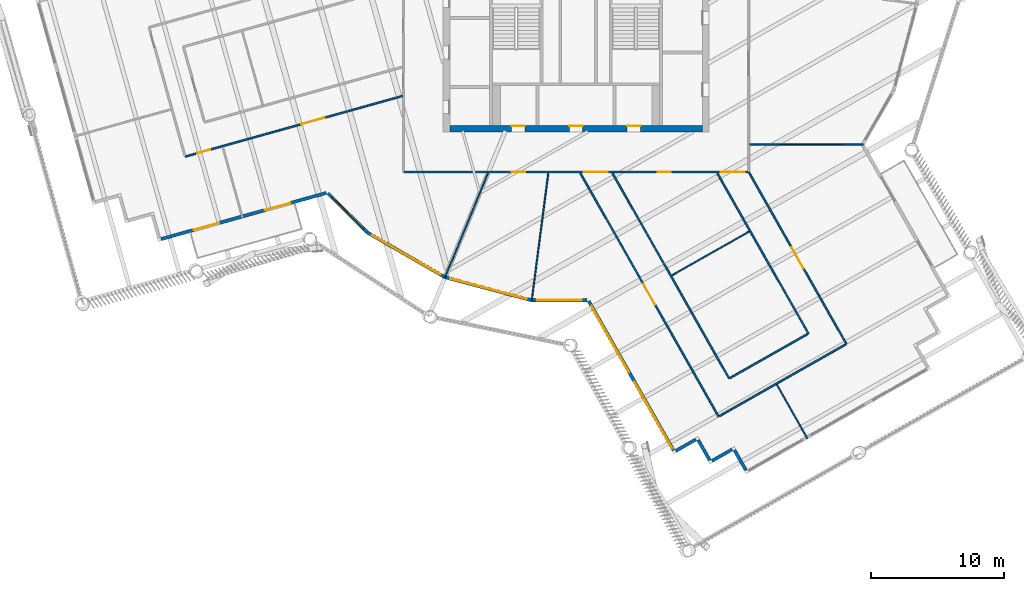
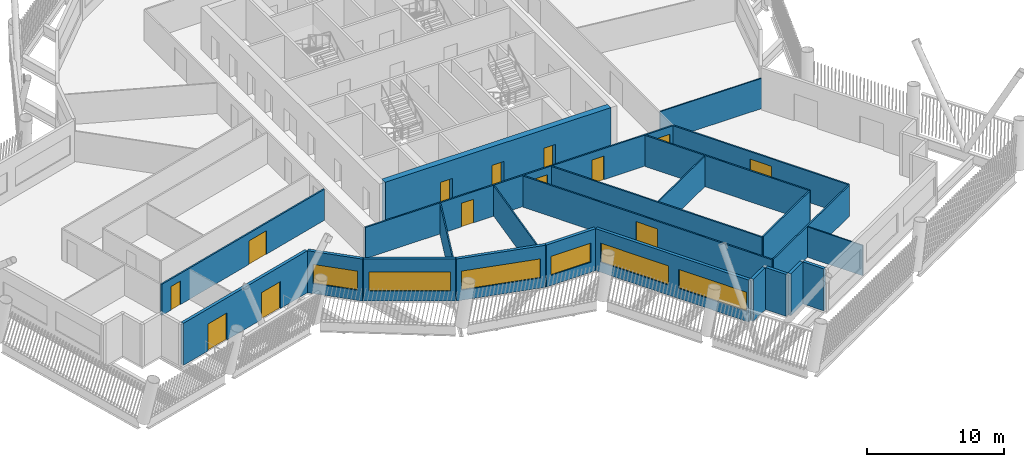
# One storey, part 3 of 21: 24 walls, 13 doors, 6 windows, 19 openings.
"""IFC4 building model written with IfcOpenShell, lengths in metres."""

from ifc_helpers import new_model, si_unit, direction, frame, frame_2d, origin, place, context, subcontext, project, spatial, rectangle, extrude, material, layer, layer_set, type_object, element, fill, save


model = new_model("IFC4")

# Units and contexts
model_context = context("Model", 3, precision=1e-05, world=origin(), true_north=direction((0.0, 1.0)))
body_context = subcontext(model_context, "Body", "Model", "MODEL_VIEW")
ifc_project = project(units=[si_unit("LENGTHUNIT", "METRE"), si_unit("AREAUNIT", "SQUARE_METRE"), si_unit("VOLUMEUNIT", "CUBIC_METRE"), si_unit("PLANEANGLEUNIT", "RADIAN"), si_unit("MASSUNIT", "GRAM", prefix="KILO")], contexts=[model_context])

# Site, building, storey
site_placement = place(None, origin())
site = spatial("IfcSite", under=ifc_project, at=site_placement, CompositionType="ELEMENT")
building_placement = place(site_placement, origin())
building = spatial("IfcBuilding", under=site, at=building_placement, Name="Tarsis Ring Headquarters", CompositionType="ELEMENT")
storey_placement = place(building_placement, frame((0.0, 0.0, 347.0)))
storey = spatial("IfcBuildingStorey", under=building, at=storey_placement, Name="L82", CompositionType="ELEMENT", Elevation=347.0)

# Wall, openings, doors
ifc_material_1 = material(Name="Concrete C50/60", Category="concrete")
ifc_layer_1 = layer(ifc_material_1, 0.5)
ifc_layer_set_1 = layer_set([ifc_layer_1], Name="Core wall 500 C50/60")
wall_type_1 = type_object("IfcWallType", Name="Core wall 500 C50/60", PredefinedType="SHEAR", material=ifc_layer_set_1)
wall_1_placement = place(storey_placement, frame((-9.5, -12.75, 0.0), z_axis=(0.0, 0.0, 1.0), x_axis=(1.0, 0.0, 0.0)))
wall_1 = element("IfcWall", 1, at=wall_1_placement, inside=storey, type_object=wall_type_1, Name="Core wall OS", PredefinedType="SHEAR", context=body_context, shape_type="SweptSolid", body=[
    extrude(rectangle(XDim=19.0, YDim=0.5, at=frame_2d((9.5, 0.0))), origin(), (0.0, 0.0, 1.0), 3.739990234375),
])
opening_1_placement = place(wall_1_placement, frame((4.64990234375, 0.0, 0.0)))
opening_1 = element("IfcOpeningElement", 2, at=opening_1_placement, cuts=wall_1, Name="Opening L82-C19", PredefinedType="OPENING", context=body_context, shape_type="SweptSolid", body=[
    extrude(rectangle(XDim=1.0, YDim=2.10009765625, at=frame_2d((0.5, 1.050048828125))), frame((0.0, 0.260009765625, 0.0), z_axis=(0.0, -1.0, 0.0), x_axis=(1.0, 0.0, 0.0)), (0.0, 0.0, 1.0), 0.52001953125),
])
opening_2_placement = place(wall_1_placement, frame((9.0, 0.0, 0.0)))
opening_2 = element("IfcOpeningElement", 3, at=opening_2_placement, cuts=wall_1, Name="Opening L82-C20", PredefinedType="OPENING", context=body_context, shape_type="SweptSolid", body=[
    extrude(rectangle(XDim=1.0, YDim=2.10009765625, at=frame_2d((0.5, 1.050048828125))), frame((0.0, 0.260009765625, 0.0), z_axis=(0.0, -1.0, 0.0), x_axis=(1.0, 0.0, 0.0)), (0.0, 0.0, 1.0), 0.52001953125),
])
opening_3_placement = place(wall_1_placement, frame((13.35009765625, 0.0, 0.0)))
opening_3 = element("IfcOpeningElement", 4, at=opening_3_placement, cuts=wall_1, Name="Opening L82-C21", PredefinedType="OPENING", context=body_context, shape_type="SweptSolid", body=[
    extrude(rectangle(XDim=1.0, YDim=2.10009765625, at=frame_2d((0.5, 1.050048828125))), frame((0.0, 0.260009765625, 0.0), z_axis=(0.0, -1.0, 0.0), x_axis=(1.0, 0.0, 0.0)), (0.0, 0.0, 1.0), 0.52001953125),
])
ifc_material_2 = material(Name="Steel S355", Category="steel")
door_type_1 = type_object("IfcDoorType", Name="Core room door 1000x2100", OperationType="SINGLE_SWING_LEFT", PredefinedType="DOOR", material=ifc_material_2)
door_1_placement = place(opening_1_placement, origin())
door_1 = element("IfcDoor", 5, at=door_1_placement, inside=storey, type_object=door_type_1, Name="Core room door L82", OperationType="SINGLE_SWING_LEFT", OverallHeight=2.10009765625, OverallWidth=1.0, PredefinedType="DOOR", context=body_context, shape_type="SweptSolid", body=[
    extrude(rectangle(XDim=1.0, YDim=2.10009765625, at=frame_2d((0.5, 1.050048828125))), frame((0.0, 0.25, 0.0), z_axis=(0.0, -1.0, 0.0), x_axis=(1.0, 0.0, 0.0)), (0.0, 0.0, 1.0), 0.050048828125),
])
fill(opening_1, door_1)
door_2_placement = place(opening_2_placement, origin())
door_2 = element("IfcDoor", 6, at=door_2_placement, inside=storey, type_object=door_type_1, Name="Core room door L82", OperationType="SINGLE_SWING_LEFT", OverallHeight=2.10009765625, OverallWidth=1.0, PredefinedType="DOOR", context=body_context, shape_type="SweptSolid", body=[
    extrude(rectangle(XDim=1.0, YDim=2.10009765625, at=frame_2d((0.5, 1.050048828125))), frame((0.0, 0.25, 0.0), z_axis=(0.0, -1.0, 0.0), x_axis=(1.0, 0.0, 0.0)), (0.0, 0.0, 1.0), 0.050048828125),
])
fill(opening_2, door_2)
door_3_placement = place(opening_3_placement, origin())
door_3 = element("IfcDoor", 7, at=door_3_placement, inside=storey, type_object=door_type_1, Name="Core room door L82", OperationType="SINGLE_SWING_LEFT", OverallHeight=2.10009765625, OverallWidth=1.0, PredefinedType="DOOR", context=body_context, shape_type="SweptSolid", body=[
    extrude(rectangle(XDim=1.0, YDim=2.10009765625, at=frame_2d((0.5, 1.050048828125))), frame((0.0, 0.25, 0.0), z_axis=(0.0, -1.0, 0.0), x_axis=(1.0, 0.0, 0.0)), (0.0, 0.0, 1.0), 0.050048828125),
])
fill(opening_3, door_3)

# Walls
ifc_material_3 = material(Name="Gypsum board on steel studs", Category="steel")
ifc_layer_2 = layer(ifc_material_3, 0.10009765625)
ifc_layer_set_2 = layer_set([ifc_layer_2], Name="FL partition 100 unrated")
wall_type_2 = type_object("IfcWallType", Name="FL partition 100 unrated", PredefinedType="PARTITIONING", material=ifc_layer_set_2)
wall_2_placement = place(storey_placement, frame((-3.342041015625, -25.731689453125, 0.0), z_axis=(0.0, 0.0, 1.0), x_axis=(0.128791781128, 0.991671657916, 0.0)))
element("IfcWall", 8, at=wall_2_placement, inside=storey, type_object=wall_type_2, Name="Partition PW3", PredefinedType="PARTITIONING", context=body_context, shape_type="SweptSolid", body=[
    extrude(rectangle(XDim=9.743408203125, YDim=0.10009765625, at=frame_2d((4.87158203125, 0.0))), origin(), (0.0, 0.0, 1.0), 2.699951171875),
])
wall_3_placement = place(storey_placement, frame((-9.887939453125, -23.989990234375, 0.0), z_axis=(0.0, 0.0, 1.0), x_axis=(0.381065296508, 0.924548127356, 0.0)))
element("IfcWall", 9, at=wall_3_placement, inside=storey, type_object=wall_type_2, Name="Partition PW3", PredefinedType="PARTITIONING", context=body_context, shape_type="SweptSolid", body=[
    extrude(rectangle(XDim=8.56201171875, YDim=0.10009765625, at=frame_2d((4.281005859375, 0.0))), origin(), (0.0, 0.0, 1.0), 2.699951171875),
])
wall_4_placement = place(storey_placement, frame((13.070068359375, -13.914306640625, 0.0), z_axis=(0.0, 0.0, 1.0), x_axis=(0.999996558905, -0.002623390556, 0.0)))
element("IfcWall", 10, at=wall_4_placement, inside=storey, type_object=wall_type_2, Name="Partition PW3", PredefinedType="PARTITIONING", context=body_context, shape_type="SweptSolid", body=[
    extrude(rectangle(XDim=8.561767578125, YDim=0.10009765625, at=frame_2d((4.28076171875, 0.0))), origin(), (0.0, 0.0, 1.0), 2.699951171875),
])
wall_5_placement = place(storey_placement, frame((7.19970703125, -23.788330078125, 0.0), z_axis=(0.0, 0.0, 1.0), x_axis=(0.869483510294, 0.49396196749, 0.0)))
element("IfcWall", 11, at=wall_5_placement, inside=storey, type_object=wall_type_2, Name="Partition PW3", PredefinedType="PARTITIONING", context=body_context, shape_type="SweptSolid", body=[
    extrude(rectangle(XDim=6.7197265625, YDim=0.10009765625, at=frame_2d((3.35986328125, 0.0))), origin(), (0.0, 0.0, 1.0), 2.699951171875),
])
wall_6_placement = place(storey_placement, frame((15.109619140625, -32.00341796875, 0.0), z_axis=(0.0, 0.0, 1.0), x_axis=(0.493948197589, -0.869491332964, 0.0)))
element("IfcWall", 12, at=wall_6_placement, inside=storey, type_object=wall_type_2, Name="Partition PW3", PredefinedType="PARTITIONING", context=body_context, shape_type="SweptSolid", body=[
    extrude(rectangle(XDim=4.659912109375, YDim=0.10009765625, at=frame_2d((2.330078125, 0.0))), origin(), (0.0, 0.0, 1.0), 2.699951171875),
])

# Wall, openings, doors
ifc_layer_3 = layer(ifc_material_3, 0.125)
ifc_layer_set_3 = layer_set([ifc_layer_3], Name="FL partition 125 EI 60 H2770")
wall_type_3 = type_object("IfcWallType", Name="FL partition 125 EI 60 H2770", PredefinedType="PARTITIONING", material=ifc_layer_set_3)
wall_7_placement = place(storey_placement, frame((-12.93994140625, -16.0, 0.0), z_axis=(0.0, 0.0, 1.0), x_axis=(1.0, 0.0, 0.0)))
wall_7 = element("IfcWall", 13, at=wall_7_placement, inside=storey, type_object=wall_type_3, Name="Partition PW1", PredefinedType="PARTITIONING", context=body_context, shape_type="SweptSolid", body=[
    extrude(rectangle(XDim=25.879638671875, YDim=0.125, at=frame_2d((12.93994140625, 0.0))), origin(), (0.0, 0.0, 1.0), 2.77001953125),
])
opening_4_placement = place(wall_7_placement, frame((8.103515625, 0.0, 0.0)))
opening_4 = element("IfcOpeningElement", 14, at=opening_4_placement, cuts=wall_7, Name="Opening D82.12", PredefinedType="OPENING", context=body_context, shape_type="SweptSolid", body=[
    extrude(rectangle(XDim=1.0, YDim=2.10009765625, at=frame_2d((0.5, 1.050048828125))), frame((0.0, 0.072509765625, 0.0), z_axis=(0.0, -1.0, 0.0), x_axis=(1.0, 0.0, 0.0)), (0.0, 0.0, 1.0), 0.14501953125),
])
opening_5_placement = place(wall_7_placement, frame((19.07958984375, 0.0, 0.0)))
opening_5 = element("IfcOpeningElement", 15, at=opening_5_placement, cuts=wall_7, Name="Opening D82.16", PredefinedType="OPENING", context=body_context, shape_type="SweptSolid", body=[
    extrude(rectangle(XDim=1.0, YDim=2.10009765625, at=frame_2d((0.5, 1.050048828125))), frame((0.0, 0.072509765625, 0.0), z_axis=(0.0, -1.0, 0.0), x_axis=(1.0, 0.0, 0.0)), (0.0, 0.0, 1.0), 0.14501953125),
])
opening_6_placement = place(wall_7_placement, frame((13.527099609375, 0.0, 0.0)))
opening_6 = element("IfcOpeningElement", 16, at=opening_6_placement, cuts=wall_7, Name="Opening D82.17", PredefinedType="OPENING", context=body_context, shape_type="SweptSolid", body=[
    extrude(rectangle(XDim=1.800048828125, YDim=2.10009765625, at=frame_2d((0.89990234375, 1.050048828125))), frame((0.0, 0.072509765625, 0.0), z_axis=(0.0, -1.0, 0.0), x_axis=(1.0, 0.0, 0.0)), (0.0, 0.0, 1.0), 0.14501953125),
])
opening_7_placement = place(wall_7_placement, frame((23.83203125, 0.0, 0.0)))
opening_7 = element("IfcOpeningElement", 17, at=opening_7_placement, cuts=wall_7, Name="Opening D82.18", PredefinedType="OPENING", context=body_context, shape_type="SweptSolid", body=[
    extrude(rectangle(XDim=1.800048828125, YDim=2.10009765625, at=frame_2d((0.89990234375, 1.050048828125))), frame((0.0, 0.072509765625, 0.0), z_axis=(0.0, -1.0, 0.0), x_axis=(1.0, 0.0, 0.0)), (0.0, 0.0, 1.0), 0.14501953125),
])
ifc_material_4 = material(Name="Fire-rated timber door leaf in steel frame", Category="steel")
door_type_2 = type_object("IfcDoorType", Name="FL door FD60-1000", OperationType="NOTDEFINED", PredefinedType="DOOR", material=ifc_material_4)
door_4_placement = place(opening_4_placement, origin())
door_4 = element("IfcDoor", 18, at=door_4_placement, inside=storey, type_object=door_type_2, Name="Door D82.12", OperationType="SINGLE_SWING_RIGHT", OverallHeight=2.10009765625, OverallWidth=1.0, PredefinedType="DOOR", context=body_context, shape_type="SweptSolid", body=[
    extrude(rectangle(XDim=1.0, YDim=2.10009765625, at=frame_2d((0.5, 1.050048828125))), frame((0.0, 0.02490234375, 0.0), z_axis=(0.0, -1.0, 0.0), x_axis=(1.0, 0.0, 0.0)), (0.0, 0.0, 1.0), 0.050048828125),
])
fill(opening_4, door_4)
door_5_placement = place(opening_5_placement, origin())
door_5 = element("IfcDoor", 19, at=door_5_placement, inside=storey, type_object=door_type_2, Name="Door D82.16", OperationType="SINGLE_SWING_RIGHT", OverallHeight=2.10009765625, OverallWidth=1.0, PredefinedType="DOOR", context=body_context, shape_type="SweptSolid", body=[
    extrude(rectangle(XDim=1.0, YDim=2.10009765625, at=frame_2d((0.5, 1.050048828125))), frame((0.0, 0.02490234375, 0.0), z_axis=(0.0, -1.0, 0.0), x_axis=(1.0, 0.0, 0.0)), (0.0, 0.0, 1.0), 0.050048828125),
])
fill(opening_5, door_5)
door_type_3 = type_object("IfcDoorType", Name="FL door FD60-1800", OperationType="DOUBLE_DOOR_SINGLE_SWING", PredefinedType="DOOR", material=ifc_material_4)
door_6_placement = place(opening_6_placement, origin())
door_6 = element("IfcDoor", 20, at=door_6_placement, inside=storey, type_object=door_type_3, Name="Door D82.17", OperationType="DOUBLE_DOOR_SINGLE_SWING", OverallHeight=2.10009765625, OverallWidth=1.800048828125, PredefinedType="DOOR", context=body_context, shape_type="SweptSolid", body=[
    extrude(rectangle(XDim=1.800048828125, YDim=2.10009765625, at=frame_2d((0.89990234375, 1.050048828125))), frame((0.0, 0.02490234375, 0.0), z_axis=(0.0, -1.0, 0.0), x_axis=(1.0, 0.0, 0.0)), (0.0, 0.0, 1.0), 0.050048828125),
])
fill(opening_6, door_6)
door_7_placement = place(opening_7_placement, origin())
door_7 = element("IfcDoor", 21, at=door_7_placement, inside=storey, type_object=door_type_3, Name="Door D82.18", OperationType="DOUBLE_DOOR_SINGLE_SWING", OverallHeight=2.10009765625, OverallWidth=1.800048828125, PredefinedType="DOOR", context=body_context, shape_type="SweptSolid", body=[
    extrude(rectangle(XDim=1.800048828125, YDim=2.10009765625, at=frame_2d((0.89990234375, 1.050048828125))), frame((0.0, 0.02490234375, 0.0), z_axis=(0.0, -1.0, 0.0), x_axis=(1.0, 0.0, 0.0)), (0.0, 0.0, 1.0), 0.050048828125),
])
fill(opening_7, door_7)

# Wall, opening, door
wall_8_placement = place(storey_placement, frame((0.328857421875, -16.0869140625, 0.0), z_axis=(0.0, 0.0, 1.0), x_axis=(0.493944905989, -0.869493202876, 0.0)))
wall_8 = element("IfcWall", 22, at=wall_8_placement, inside=storey, type_object=wall_type_3, Name="Partition PW1", PredefinedType="PARTITIONING", context=body_context, shape_type="SweptSolid", body=[
    extrude(rectangle(XDim=21.070068359375, YDim=0.125, at=frame_2d((10.53515625, 0.0))), origin(), (0.0, 0.0, 1.0), 2.77001953125),
])
opening_8_placement = place(wall_8_placement, frame((9.5849609375, 0.0, 0.0)))
opening_8 = element("IfcOpeningElement", 23, at=opening_8_placement, cuts=wall_8, Name="Opening D82.11", PredefinedType="OPENING", context=body_context, shape_type="SweptSolid", body=[
    extrude(rectangle(XDim=1.800048828125, YDim=2.10009765625, at=frame_2d((0.89990234375, 1.050048828125))), frame((0.0, 0.072509765625, 0.0), z_axis=(0.0, -1.0, 0.0), x_axis=(1.0, 0.0, 0.0)), (0.0, 0.0, 1.0), 0.14501953125),
])
door_8_placement = place(opening_8_placement, origin())
door_8 = element("IfcDoor", 24, at=door_8_placement, inside=storey, type_object=door_type_3, Name="Door D82.11", OperationType="DOUBLE_DOOR_SINGLE_SWING", OverallHeight=2.10009765625, OverallWidth=1.800048828125, PredefinedType="DOOR", context=body_context, shape_type="SweptSolid", body=[
    extrude(rectangle(XDim=1.800048828125, YDim=2.10009765625, at=frame_2d((0.89990234375, 1.050048828125))), frame((0.0, 0.02490234375, 0.0), z_axis=(0.0, -1.0, 0.0), x_axis=(1.0, 0.0, 0.0)), (0.0, 0.0, 1.0), 0.050048828125),
])
fill(opening_8, door_8)

# Wall
wall_9_placement = place(storey_placement, frame((2.744140625, -16.0869140625, 0.0), z_axis=(0.0, 0.0, 1.0), x_axis=(0.493939564045, -0.869496237525, 0.0)))
element("IfcWall", 25, at=wall_9_placement, inside=storey, type_object=wall_type_3, Name="Partition PW1", PredefinedType="PARTITIONING", context=body_context, shape_type="SweptSolid", body=[
    extrude(rectangle(XDim=17.777099609375, YDim=0.125, at=frame_2d((8.888671875, 0.0))), origin(), (0.0, 0.0, 1.0), 2.77001953125),
])

# Wall, openings, doors
wall_10_placement = place(storey_placement, frame((-29.42333984375, -14.839111328125, 0.0), z_axis=(0.0, 0.0, 1.0), x_axis=(0.963162166968, 0.268921252641, 0.0)))
wall_10 = element("IfcWall", 26, at=wall_10_placement, inside=storey, type_object=wall_type_3, Name="Partition PW1", PredefinedType="PARTITIONING", context=body_context, shape_type="SweptSolid", body=[
    extrude(rectangle(XDim=16.971435546875, YDim=0.125, at=frame_2d((8.48583984375, 0.0))), origin(), (0.0, 0.0, 1.0), 2.77001953125),
])
opening_9_placement = place(wall_10_placement, frame((0.9580078125, 0.0, 0.0)))
opening_9 = element("IfcOpeningElement", 27, at=opening_9_placement, cuts=wall_10, Name="Opening D82.01", PredefinedType="OPENING", context=body_context, shape_type="SweptSolid", body=[
    extrude(rectangle(XDim=1.0, YDim=2.10009765625, at=frame_2d((0.5, 1.050048828125))), frame((0.0, 0.072509765625, 0.0), z_axis=(0.0, -1.0, 0.0), x_axis=(1.0, 0.0, 0.0)), (0.0, 0.0, 1.0), 0.14501953125),
])
opening_10_placement = place(wall_10_placement, frame((9.083740234375, 0.0, 0.0)))
opening_10 = element("IfcOpeningElement", 28, at=opening_10_placement, cuts=wall_10, Name="Opening D82.13", PredefinedType="OPENING", context=body_context, shape_type="SweptSolid", body=[
    extrude(rectangle(XDim=1.800048828125, YDim=2.10009765625, at=frame_2d((0.89990234375, 1.050048828125))), frame((0.0, 0.072509765625, 0.0), z_axis=(0.0, -1.0, 0.0), x_axis=(1.0, 0.0, 0.0)), (0.0, 0.0, 1.0), 0.14501953125),
])
door_9_placement = place(opening_9_placement, origin())
door_9 = element("IfcDoor", 29, at=door_9_placement, inside=storey, type_object=door_type_2, Name="Door D82.01", OperationType="SINGLE_SWING_LEFT", OverallHeight=2.10009765625, OverallWidth=1.0, PredefinedType="DOOR", context=body_context, shape_type="SweptSolid", body=[
    extrude(rectangle(XDim=1.0, YDim=2.10009765625, at=frame_2d((0.5, 1.050048828125))), frame((0.0, 0.02490234375, 0.0), z_axis=(0.0, -1.0, 0.0), x_axis=(1.0, 0.0, 0.0)), (0.0, 0.0, 1.0), 0.050048828125),
])
fill(opening_9, door_9)
door_10_placement = place(opening_10_placement, origin())
door_10 = element("IfcDoor", 30, at=door_10_placement, inside=storey, type_object=door_type_3, Name="Door D82.13", OperationType="DOUBLE_DOOR_SINGLE_SWING", OverallHeight=2.10009765625, OverallWidth=1.800048828125, PredefinedType="DOOR", context=body_context, shape_type="SweptSolid", body=[
    extrude(rectangle(XDim=1.800048828125, YDim=2.10009765625, at=frame_2d((0.89990234375, 1.050048828125))), frame((0.0, 0.02490234375, 0.0), z_axis=(0.0, -1.0, 0.0), x_axis=(1.0, 0.0, 0.0)), (0.0, 0.0, 1.0), 0.050048828125),
])
fill(opening_10, door_10)

# Wall, opening, door
wall_11_placement = place(storey_placement, frame((13.009521484375, -16.017333984375, 0.0), z_axis=(0.0, 0.0, 1.0), x_axis=(0.493933792531, -0.869499516156, 0.0)))
wall_11 = element("IfcWall", 31, at=wall_11_placement, inside=storey, type_object=wall_type_3, Name="Partition PW1", PredefinedType="PARTITIONING", context=body_context, shape_type="SweptSolid", body=[
    extrude(rectangle(XDim=14.866943359375, YDim=0.125, at=frame_2d((7.43359375, 0.0))), origin(), (0.0, 0.0, 1.0), 2.77001953125),
])
opening_11_placement = place(wall_11_placement, frame((6.5234375, 0.0, 0.0)))
opening_11 = element("IfcOpeningElement", 32, at=opening_11_placement, cuts=wall_11, Name="Opening D82.10", PredefinedType="OPENING", context=body_context, shape_type="SweptSolid", body=[
    extrude(rectangle(XDim=1.800048828125, YDim=2.10009765625, at=frame_2d((0.89990234375, 1.050048828125))), frame((0.0, 0.072509765625, 0.0), z_axis=(0.0, -1.0, 0.0), x_axis=(1.0, 0.0, 0.0)), (0.0, 0.0, 1.0), 0.14501953125),
])
door_11_placement = place(opening_11_placement, origin())
door_11 = element("IfcDoor", 33, at=door_11_placement, inside=storey, type_object=door_type_3, Name="Door D82.10", OperationType="DOUBLE_DOOR_SINGLE_SWING", OverallHeight=2.10009765625, OverallWidth=1.800048828125, PredefinedType="DOOR", context=body_context, shape_type="SweptSolid", body=[
    extrude(rectangle(XDim=1.800048828125, YDim=2.10009765625, at=frame_2d((0.89990234375, 1.050048828125))), frame((0.0, 0.02490234375, 0.0), z_axis=(0.0, -1.0, 0.0), x_axis=(1.0, 0.0, 0.0)), (0.0, 0.0, 1.0), 0.050048828125),
])
fill(opening_11, door_11)

# Walls
wall_12_placement = place(storey_placement, frame((10.6337890625, -16.0869140625, 0.0), z_axis=(0.0, 0.0, 1.0), x_axis=(0.493943829081, -0.869493814649, 0.0)))
element("IfcWall", 34, at=wall_12_placement, inside=storey, type_object=wall_type_3, Name="Partition PW1", PredefinedType="PARTITIONING", context=body_context, shape_type="SweptSolid", body=[
    extrude(rectangle(XDim=13.880126953125, YDim=0.125, at=frame_2d((6.93994140625, 0.0))), origin(), (0.0, 0.0, 1.0), 2.77001953125),
])
wall_13_placement = place(storey_placement, frame((10.78857421875, -34.377685546875, 0.0), z_axis=(0.0, 0.0, 1.0), x_axis=(0.869490104, 0.493950360914, 0.0)))
element("IfcWall", 35, at=wall_13_placement, inside=storey, type_object=wall_type_3, Name="Partition PW1", PredefinedType="PARTITIONING", context=body_context, shape_type="SweptSolid", body=[
    extrude(rectangle(XDim=10.93994140625, YDim=0.125, at=frame_2d((5.469970703125, 0.0))), origin(), (0.0, 0.0, 1.0), 2.77001953125),
])
wall_14_placement = place(storey_placement, frame((11.5771484375, -31.514404296875, 0.0), z_axis=(0.0, 0.0, 1.0), x_axis=(0.869497572272, 0.493937214444, 0.0)))
element("IfcWall", 36, at=wall_14_placement, inside=storey, type_object=wall_type_3, Name="Partition PW1", PredefinedType="PARTITIONING", context=body_context, shape_type="SweptSolid", body=[
    extrude(rectangle(XDim=6.739990234375, YDim=0.125, at=frame_2d((3.3701171875, 0.0))), origin(), (0.0, 0.0, 1.0), 2.77001953125),
])

# Wall, openings, doors
ifc_material_5 = material(Name="Terracotta clad insulated panel wall", Category="masonry")
ifc_layer_4 = layer(ifc_material_5, 0.25)
ifc_layer_set_4 = layer_set([ifc_layer_4], Name="Facade wall terracotta panel 250")
wall_type_4 = type_object("IfcWallType", Name="Facade wall terracotta panel 250", PredefinedType="STANDARD", material=ifc_layer_set_4)
wall_15_placement = place(storey_placement, frame((-31.23974609375, -21.051513671875, 0.0), z_axis=(0.0, 0.0, 1.0), x_axis=(0.963160572867, 0.268926961969, 0.0)))
wall_15 = element("IfcWall", 37, at=wall_15_placement, inside=storey, type_object=wall_type_4, Name="External wall L82-01", PredefinedType="STANDARD", context=body_context, shape_type="SweptSolid", body=[
    extrude(rectangle(XDim=12.922119140625, YDim=0.25, at=frame_2d((6.4609375, 0.0))), origin(), (0.0, 0.0, 1.0), 3.739990234375),
])
opening_12_placement = place(wall_15_placement, frame((2.550048828125, 0.0, 0.0)))
opening_12 = element("IfcOpeningElement", 38, at=opening_12_placement, cuts=wall_15, Name="Opening L82-BD01", PredefinedType="OPENING", context=body_context, shape_type="SweptSolid", body=[
    extrude(rectangle(XDim=2.0, YDim=2.39990234375, at=frame_2d((1.0, 1.199951171875))), frame((0.0, 0.135009765625, 0.0), z_axis=(0.0, -1.0, 0.0), x_axis=(1.0, 0.0, 0.0)), (0.0, 0.0, 1.0), 0.27001953125),
])
opening_13_placement = place(wall_15_placement, frame((8.1220703125, 0.0, 0.0)))
opening_13 = element("IfcOpeningElement", 39, at=opening_13_placement, cuts=wall_15, Name="Opening L82-BD02", PredefinedType="OPENING", context=body_context, shape_type="SweptSolid", body=[
    extrude(rectangle(XDim=2.0, YDim=2.39990234375, at=frame_2d((1.0, 1.199951171875))), frame((0.0, 0.135009765625, 0.0), z_axis=(0.0, -1.0, 0.0), x_axis=(1.0, 0.0, 0.0)), (0.0, 0.0, 1.0), 0.27001953125),
])
ifc_material_6 = material(Name="Aluminium framed double glazing", Category="aluminium")
door_type_4 = type_object("IfcDoorType", Name="Balcony sliding door 2000 x 2400", OperationType="SLIDING_TO_LEFT", PredefinedType="DOOR", material=ifc_material_6)
door_12_placement = place(opening_12_placement, origin())
door_12 = element("IfcDoor", 40, at=door_12_placement, inside=storey, type_object=door_type_4, Name="Door L82-BD01", OperationType="SINGLE_SWING_LEFT", OverallHeight=2.39990234375, OverallWidth=2.0, PredefinedType="DOOR", context=body_context, shape_type="SweptSolid", body=[
    extrude(rectangle(XDim=2.0, YDim=2.39990234375, at=frame_2d((1.0, 1.199951171875))), frame((0.0, 0.02490234375, 0.0), z_axis=(0.0, -1.0, 0.0), x_axis=(1.0, 0.0, 0.0)), (0.0, 0.0, 1.0), 0.050048828125),
])
fill(opening_12, door_12)
door_13_placement = place(opening_13_placement, origin())
door_13 = element("IfcDoor", 41, at=door_13_placement, inside=storey, type_object=door_type_4, Name="Door L82-BD02", OperationType="SINGLE_SWING_LEFT", OverallHeight=2.39990234375, OverallWidth=2.0, PredefinedType="DOOR", context=body_context, shape_type="SweptSolid", body=[
    extrude(rectangle(XDim=2.0, YDim=2.39990234375, at=frame_2d((1.0, 1.199951171875))), frame((0.0, 0.02490234375, 0.0), z_axis=(0.0, -1.0, 0.0), x_axis=(1.0, 0.0, 0.0)), (0.0, 0.0, 1.0), 0.050048828125),
])
fill(opening_13, door_13)

# Wall, opening, window
wall_16_placement = place(storey_placement, frame((-18.671875, -17.6083984375, 0.0), z_axis=(0.0, 0.0, 1.0), x_axis=(0.708368185444, -0.705843122692, 0.0)))
wall_16 = element("IfcWall", 42, at=wall_16_placement, inside=storey, type_object=wall_type_4, Name="External wall L82-02", PredefinedType="STANDARD", context=body_context, shape_type="SweptSolid", body=[
    extrude(rectangle(XDim=4.157470703125, YDim=0.25, at=frame_2d((2.07861328125, 0.0))), origin(), (0.0, 0.0, 1.0), 3.739990234375),
])
opening_14_placement = place(wall_16_placement, frame((0.420166015625, 0.0, 0.89990234375)))
opening_14 = element("IfcOpeningElement", 43, at=opening_14_placement, cuts=wall_16, Name="Opening WN01", PredefinedType="OPENING", context=body_context, shape_type="SweptSolid", body=[
    extrude(rectangle(XDim=3.35009765625, YDim=1.699951171875, at=frame_2d((1.675048828125, 0.85009765625))), frame((0.0, 0.135009765625, 0.0), z_axis=(0.0, -1.0, 0.0), x_axis=(1.0, 0.0, 0.0)), (0.0, 0.0, 1.0), 0.27001953125),
])
window_type_1 = type_object("IfcWindowType", Name="Facade window 3350 x 1700", PartitioningType="SINGLE_PANEL", PredefinedType="WINDOW", material=ifc_material_6)
window_1_placement = place(opening_14_placement, origin())
window_1 = element("IfcWindow", 44, at=window_1_placement, inside=storey, type_object=window_type_1, Name="Window L82-02.1", OverallHeight=1.699951171875, OverallWidth=3.35009765625, PartitioningType="SINGLE_PANEL", PredefinedType="WINDOW", context=body_context, shape_type="SweptSolid", body=[
    extrude(rectangle(XDim=3.35009765625, YDim=1.699951171875, at=frame_2d((1.675048828125, 0.85009765625))), frame((0.0, 0.030029296875, 0.0), z_axis=(0.0, -1.0, 0.0), x_axis=(1.0, 0.0, 0.0)), (0.0, 0.0, 1.0), 0.06005859375),
])
fill(opening_14, window_1)

wall_17_placement = place(storey_placement, frame((-15.700927734375, -20.562744140625, 0.0), z_axis=(0.0, 0.0, 1.0), x_axis=(0.866898847468, -0.498484090277, 0.0)))
wall_17 = element("IfcWall", 45, at=wall_17_placement, inside=storey, type_object=wall_type_4, Name="External wall L82-03", PredefinedType="STANDARD", context=body_context, shape_type="SweptSolid", body=[
    extrude(rectangle(XDim=6.721435546875, YDim=0.25, at=frame_2d((3.36083984375, 0.0))), origin(), (0.0, 0.0, 1.0), 3.739990234375),
])
opening_15_placement = place(wall_17_placement, frame((0.3857421875, 0.0, 0.89990234375)))
opening_15 = element("IfcOpeningElement", 46, at=opening_15_placement, cuts=wall_17, Name="Opening WN07", PredefinedType="OPENING", context=body_context, shape_type="SweptSolid", body=[
    extrude(rectangle(XDim=5.949951171875, YDim=1.699951171875, at=frame_2d((2.97509765625, 0.85009765625))), frame((0.0, 0.135009765625, 0.0), z_axis=(0.0, -1.0, 0.0), x_axis=(1.0, 0.0, 0.0)), (0.0, 0.0, 1.0), 0.27001953125),
])
window_type_2 = type_object("IfcWindowType", Name="Facade window 5950 x 1700", PartitioningType="SINGLE_PANEL", PredefinedType="WINDOW", material=ifc_material_6)
window_2_placement = place(opening_15_placement, origin())
window_2 = element("IfcWindow", 47, at=window_2_placement, inside=storey, type_object=window_type_2, Name="Window L82-03.1", OverallHeight=1.699951171875, OverallWidth=5.949951171875, PartitioningType="SINGLE_PANEL", PredefinedType="WINDOW", context=body_context, shape_type="SweptSolid", body=[
    extrude(rectangle(XDim=5.949951171875, YDim=1.699951171875, at=frame_2d((2.97509765625, 0.85009765625))), frame((0.0, 0.030029296875, 0.0), z_axis=(0.0, -1.0, 0.0), x_axis=(1.0, 0.0, 0.0)), (0.0, 0.0, 1.0), 0.06005859375),
])
fill(opening_15, window_2)

wall_18_placement = place(storey_placement, frame((-9.843994140625, -23.92578125, 0.0), z_axis=(0.0, 0.0, 1.0), x_axis=(0.966369844517, -0.257156224129, 0.0)))
wall_18 = element("IfcWall", 48, at=wall_18_placement, inside=storey, type_object=wall_type_4, Name="External wall L82-04", PredefinedType="STANDARD", context=body_context, shape_type="SweptSolid", body=[
    extrude(rectangle(XDim=6.7216796875, YDim=0.25, at=frame_2d((3.36083984375, 0.0))), origin(), (0.0, 0.0, 1.0), 3.739990234375),
])
opening_16_placement = place(wall_18_placement, frame((0.3857421875, 0.0, 0.89990234375)))
opening_16 = element("IfcOpeningElement", 49, at=opening_16_placement, cuts=wall_18, Name="Opening WN07", PredefinedType="OPENING", context=body_context, shape_type="SweptSolid", body=[
    extrude(rectangle(XDim=5.949951171875, YDim=1.699951171875, at=frame_2d((2.97509765625, 0.85009765625))), frame((0.0, 0.135009765625, 0.0), z_axis=(0.0, -1.0, 0.0), x_axis=(1.0, 0.0, 0.0)), (0.0, 0.0, 1.0), 0.27001953125),
])
window_3_placement = place(opening_16_placement, origin())
window_3 = element("IfcWindow", 50, at=window_3_placement, inside=storey, type_object=window_type_2, Name="Window L82-04.1", OverallHeight=1.699951171875, OverallWidth=5.949951171875, PartitioningType="SINGLE_PANEL", PredefinedType="WINDOW", context=body_context, shape_type="SweptSolid", body=[
    extrude(rectangle(XDim=5.949951171875, YDim=1.699951171875, at=frame_2d((2.97509765625, 0.85009765625))), frame((0.0, 0.030029296875, 0.0), z_axis=(0.0, -1.0, 0.0), x_axis=(1.0, 0.0, 0.0)), (0.0, 0.0, 1.0), 0.06005859375),
])
fill(opening_16, window_3)

wall_19_placement = place(storey_placement, frame((-3.31591796875, -25.658447265625, 0.0), z_axis=(0.0, 0.0, 1.0), x_axis=(0.999998448209, 0.001761697895, 0.0)))
wall_19 = element("IfcWall", 51, at=wall_19_placement, inside=storey, type_object=wall_type_4, Name="External wall L82-05", PredefinedType="STANDARD", context=body_context, shape_type="SweptSolid", body=[
    extrude(rectangle(XDim=4.157470703125, YDim=0.25, at=frame_2d((2.07861328125, 0.0))), origin(), (0.0, 0.0, 1.0), 3.739990234375),
])
opening_17_placement = place(wall_19_placement, frame((0.38720703125, 0.0, 0.89990234375)))
opening_17 = element("IfcOpeningElement", 52, at=opening_17_placement, cuts=wall_19, Name="Opening WN01", PredefinedType="OPENING", context=body_context, shape_type="SweptSolid", body=[
    extrude(rectangle(XDim=3.35009765625, YDim=1.699951171875, at=frame_2d((1.675048828125, 0.85009765625))), frame((0.0, 0.135009765625, 0.0), z_axis=(0.0, -1.0, 0.0), x_axis=(1.0, 0.0, 0.0)), (0.0, 0.0, 1.0), 0.27001953125),
])
window_4_placement = place(opening_17_placement, origin())
window_4 = element("IfcWindow", 53, at=window_4_placement, inside=storey, type_object=window_type_1, Name="Window L82-05.1", OverallHeight=1.699951171875, OverallWidth=3.35009765625, PartitioningType="SINGLE_PANEL", PredefinedType="WINDOW", context=body_context, shape_type="SweptSolid", body=[
    extrude(rectangle(XDim=3.35009765625, YDim=1.699951171875, at=frame_2d((1.675048828125, 0.85009765625))), frame((0.0, 0.030029296875, 0.0), z_axis=(0.0, -1.0, 0.0), x_axis=(1.0, 0.0, 0.0)), (0.0, 0.0, 1.0), 0.06005859375),
])
fill(opening_17, window_4)

# Wall, openings, windows
wall_20_placement = place(storey_placement, frame((0.950439453125, -25.71435546875, 0.0), z_axis=(0.0, 0.0, 1.0), x_axis=(0.493948056439, -0.869491413149, 0.0)))
wall_20 = element("IfcWall", 54, at=wall_20_placement, inside=storey, type_object=wall_type_4, Name="External wall L82-06", PredefinedType="STANDARD", context=body_context, shape_type="SweptSolid", body=[
    extrude(rectangle(XDim=12.922119140625, YDim=0.25, at=frame_2d((6.4609375, 0.0))), origin(), (0.0, 0.0, 1.0), 3.739990234375),
])
opening_18_placement = place(wall_20_placement, frame((0.41796875, 0.0, 0.89990234375)))
opening_18 = element("IfcOpeningElement", 55, at=opening_18_placement, cuts=wall_20, Name="Opening WN06", PredefinedType="OPENING", context=body_context, shape_type="SweptSolid", body=[
    extrude(rectangle(XDim=5.75, YDim=1.699951171875, at=frame_2d((2.875, 0.85009765625))), frame((0.0, 0.135009765625, 0.0), z_axis=(0.0, -1.0, 0.0), x_axis=(1.0, 0.0, 0.0)), (0.0, 0.0, 1.0), 0.27001953125),
])
opening_19_placement = place(wall_20_placement, frame((7.00390625, 0.0, 0.89990234375)))
opening_19 = element("IfcOpeningElement", 56, at=opening_19_placement, cuts=wall_20, Name="Opening WN06", PredefinedType="OPENING", context=body_context, shape_type="SweptSolid", body=[
    extrude(rectangle(XDim=5.75, YDim=1.699951171875, at=frame_2d((2.875, 0.85009765625))), frame((0.0, 0.135009765625, 0.0), z_axis=(0.0, -1.0, 0.0), x_axis=(1.0, 0.0, 0.0)), (0.0, 0.0, 1.0), 0.27001953125),
])
window_type_3 = type_object("IfcWindowType", Name="Facade window 5750 x 1700", PartitioningType="SINGLE_PANEL", PredefinedType="WINDOW", material=ifc_material_6)
window_5_placement = place(opening_18_placement, origin())
window_5 = element("IfcWindow", 57, at=window_5_placement, inside=storey, type_object=window_type_3, Name="Window L82-06.1", OverallHeight=1.699951171875, OverallWidth=5.75, PartitioningType="SINGLE_PANEL", PredefinedType="WINDOW", context=body_context, shape_type="SweptSolid", body=[
    extrude(rectangle(XDim=5.75, YDim=1.699951171875, at=frame_2d((2.875, 0.85009765625))), frame((0.0, 0.030029296875, 0.0), z_axis=(0.0, -1.0, 0.0), x_axis=(1.0, 0.0, 0.0)), (0.0, 0.0, 1.0), 0.06005859375),
])
fill(opening_18, window_5)
window_6_placement = place(opening_19_placement, origin())
window_6 = element("IfcWindow", 58, at=window_6_placement, inside=storey, type_object=window_type_3, Name="Window L82-06.2", OverallHeight=1.699951171875, OverallWidth=5.75, PartitioningType="SINGLE_PANEL", PredefinedType="WINDOW", context=body_context, shape_type="SweptSolid", body=[
    extrude(rectangle(XDim=5.75, YDim=1.699951171875, at=frame_2d((2.875, 0.85009765625))), frame((0.0, 0.030029296875, 0.0), z_axis=(0.0, -1.0, 0.0), x_axis=(1.0, 0.0, 0.0)), (0.0, 0.0, 1.0), 0.06005859375),
])
fill(opening_19, window_6)

# Walls
wall_21_placement = place(storey_placement, frame((7.503662109375, -36.996826171875, 0.0), z_axis=(0.0, 0.0, 1.0), x_axis=(0.869511032228, 0.49391351959, 0.0)))
element("IfcWall", 59, at=wall_21_placement, inside=storey, type_object=wall_type_4, Name="External wall L82-07", PredefinedType="STANDARD", context=body_context, shape_type="SweptSolid", body=[
    extrude(rectangle(XDim=1.749755859375, YDim=0.25, at=frame_2d((0.875, 0.0))), origin(), (0.0, 0.0, 1.0), 3.739990234375),
])
for number, where, z_axis, x_axis, name in (
    (60, (9.195556640625, -36.179443359375, 0.0), (0.0, 0.0, 1.0), (0.493959076723, -0.86948515256, 0.0), "External wall L82-08"),
    (61, (10.23046875, -37.748046875, 0.0), (0.0, 0.0, 1.0), (0.86948515256, 0.493959076723, 0.0), "External wall L82-09"),
):
    element("IfcWall", number, at=place(storey_placement, frame(where, z_axis=z_axis, x_axis=x_axis)), inside=storey, type_object=wall_type_4, Name=name, PredefinedType="STANDARD", context=body_context, shape_type="SweptSolid", body=[
        extrude(rectangle(XDim=1.750244140625, YDim=0.25, at=frame_2d((0.875, 0.0))), origin(), (0.0, 0.0, 1.0), 3.739990234375),
    ])
wall_22_placement = place(storey_placement, frame((11.922607421875, -36.9306640625, 0.0), z_axis=(0.0, 0.0, 1.0), x_axis=(0.49391351959, -0.869511032228, 0.0)))
element("IfcWall", 62, at=wall_22_placement, inside=storey, type_object=wall_type_4, Name="External wall L82-10", PredefinedType="STANDARD", context=body_context, shape_type="SweptSolid", body=[
    extrude(rectangle(XDim=1.749755859375, YDim=0.25, at=frame_2d((0.875, 0.0))), origin(), (0.0, 0.0, 1.0), 3.739990234375),
])

save(model, "model.ifc")
